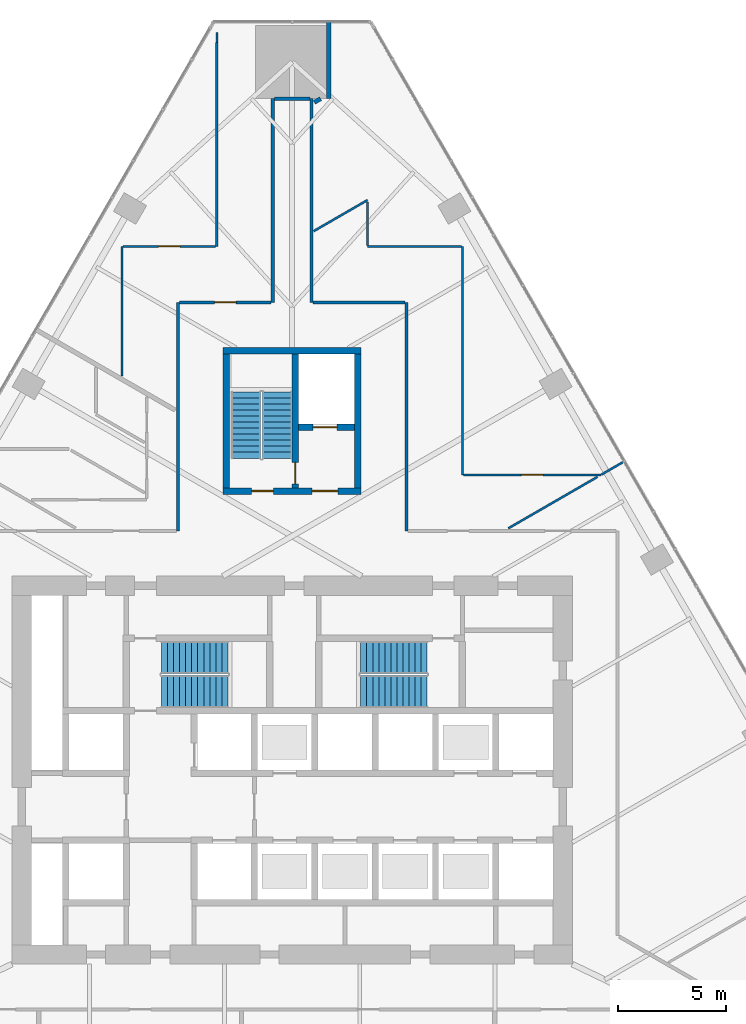
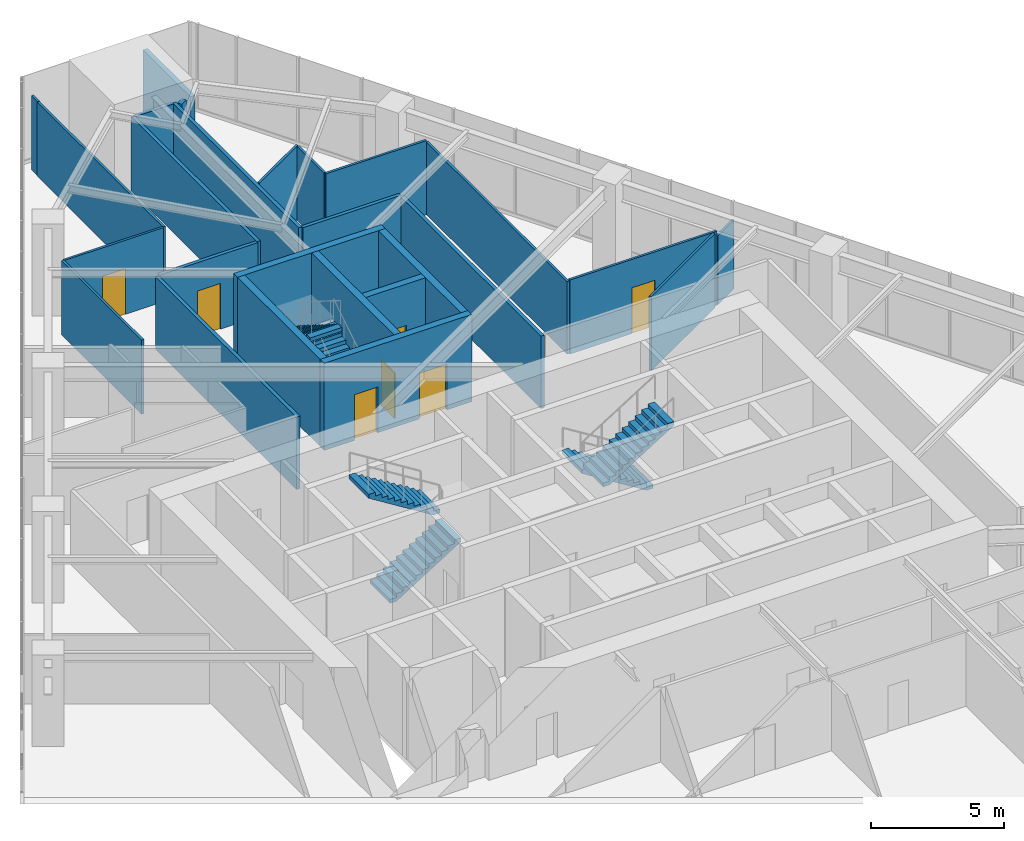
# One storey, part 19 of 21: 26 walls, 7 doors, 6 stair flights, 7 openings, 3 elements without a shape of their own.
"""IFC4 building model written with IfcOpenShell, lengths in metres."""

import ifcopenshell
import ifcopenshell.guid

model = None  # the IFC model being written
_history = None  # IfcOwnerHistory: only IFC2X3 demands one
_inside = {}  # id of a spatial element -> (the spatial element, [elements in it])
_under = {}  # id of a project, library or spatial element -> (it, [spatial elements below it])
_declared = {}  # id of a project -> (the project, [libraries it declares])
_typed = {}  # id of a type object -> (the type object, [elements of that type])
_made_of = {}  # id of a material, layer set ... -> (it, [elements and type objects made of it])


def new_model(schema):
    """Start an empty IFC model of exactly this schema.

    Asked for "IFC4X3", IfcOpenShell would pick the latest addendum, in which some entities
    have other attributes; the version numbers below select the first issue.
    IFC2X3 requires an IfcOwnerHistory on every rooted entity: one is made here for all.
    """
    global model, _history
    if schema == "IFC4X3":
        model = ifcopenshell.file(schema_version=(4, 3, 0, 0))
    else:
        model = ifcopenshell.file(schema=schema)
    _inside.clear()
    _under.clear()
    _declared.clear()
    _typed.clear()
    _made_of.clear()
    _history = None
    if model.schema == "IFC2X3":
        org = make("IfcOrganization", Name="unknown")
        user = make(
            "IfcPersonAndOrganization",
            ThePerson=make("IfcPerson", FamilyName="unknown"),
            TheOrganization=org,
        )
        app = make(
            "IfcApplication",
            ApplicationDeveloper=org,
            Version="unknown",
            ApplicationFullName="unknown",
            ApplicationIdentifier="unknown",
        )
        _history = make(
            "IfcOwnerHistory",
            OwningUser=user,
            OwningApplication=app,
            ChangeAction="ADDED",
            CreationDate=0,
        )
    return model


def make(cls, **values):
    """One entity of the class cls with the attributes given. An attribute that is None is left unset."""
    return model.create_entity(
        cls, **{name: value for name, value in values.items() if value is not None}
    )


def rooted(cls, **values):
    """An entity with a GlobalId (a new one), such as an element, a storey or a relation."""
    return make(cls, GlobalId=ifcopenshell.guid.new(), OwnerHistory=_history, **values)


def si_unit(unit_type, name, prefix=None):
    """IfcSIUnit, for example si_unit("LENGTHUNIT", "METRE", prefix="MILLI")."""
    return make("IfcSIUnit", UnitType=unit_type, Prefix=prefix, Name=name)


def assignment(units):
    """IfcUnitAssignment: the units of a project."""
    return None if units is None else make("IfcUnitAssignment", Units=units)


def point(xyz):
    """IfcCartesianPoint."""
    return None if xyz is None else make("IfcCartesianPoint", Coordinates=xyz)


def direction(xyz):
    """IfcDirection."""
    return None if xyz is None else make("IfcDirection", DirectionRatios=xyz)


def frame(location, z_axis=None, x_axis=None):
    """IfcAxis2Placement3D, a coordinate frame: its origin and axes. An axis left out is left unset."""
    return make(
        "IfcAxis2Placement3D",
        Location=point(location),
        Axis=direction(z_axis),
        RefDirection=direction(x_axis),
    )


def frame_2d(location, x_axis=None):
    """IfcAxis2Placement2D, a coordinate frame in the plane: its origin and x axis."""
    return make(
        "IfcAxis2Placement2D", Location=point(location), RefDirection=direction(x_axis)
    )


def origin():
    """The frame at (0, 0, 0) with its axes left unset."""
    return frame((0.0, 0.0, 0.0))


def place(relative_to, where):
    """IfcLocalPlacement: puts the frame where relative to a parent placement (None: the world)."""
    return make(
        "IfcLocalPlacement", PlacementRelTo=relative_to, RelativePlacement=where
    )


def context(
    kind, dimensions, precision=None, world=None, true_north=None, identifier=None
):
    """IfcGeometricRepresentationContext, for example the 3D "Model" context."""
    return make(
        "IfcGeometricRepresentationContext",
        ContextIdentifier=identifier,
        ContextType=kind,
        CoordinateSpaceDimension=dimensions,
        Precision=precision,
        WorldCoordinateSystem=world,
        TrueNorth=true_north,
    )


def subcontext(parent, identifier, kind, view, scale=None):
    """IfcGeometricRepresentationSubContext, for example "Body" below "Model"."""
    return make(
        "IfcGeometricRepresentationSubContext",
        ContextIdentifier=identifier,
        ContextType=kind,
        ParentContext=parent,
        TargetScale=scale,
        TargetView=view,
    )


def project(units=None, contexts=None):
    """IfcProject with its units and contexts."""
    return rooted(
        "IfcProject",
        Name="project",
        RepresentationContexts=contexts,
        UnitsInContext=assignment(units),
    )


def spatial(cls, under=None, at=None, **own):
    """A site, building, storey or space (cls), placed at a placement, below another one or the project."""
    s = rooted(cls, ObjectPlacement=at, **own)
    if under is not None:
        _under.setdefault(under.id(), (under, []))[1].append(s)
    return s


def polyline(points):
    """IfcPolyline through the points."""
    return make("IfcPolyline", Points=[point(p) for p in points])


def profile(cls, at=None, kind="AREA", **sizes):
    """A parametric profile (cls). Its sizes go by their IFC names, for example OverallWidth=200.0."""
    return make(cls, ProfileType=kind, Position=at, **sizes)


def rectangle(**sizes):
    """IfcRectangleProfileDef."""
    return profile("IfcRectangleProfileDef", **sizes)


def outline(outer, holes=None, kind="AREA"):
    """IfcArbitraryClosedProfileDef: a profile drawn as a closed curve; with holes, ...WithVoids."""
    if holes is None:
        return make("IfcArbitraryClosedProfileDef", ProfileType=kind, OuterCurve=outer)
    return make(
        "IfcArbitraryProfileDefWithVoids",
        ProfileType=kind,
        OuterCurve=outer,
        InnerCurves=holes,
    )


def extrude(swept, where, along, depth):
    """IfcExtrudedAreaSolid: the profile swept, set in the frame where, extruded along a direction by depth."""
    return make(
        "IfcExtrudedAreaSolid",
        SweptArea=swept,
        Position=where,
        ExtrudedDirection=direction(along),
        Depth=depth,
    )


def shape(context_of_items, identifier, shape_type, items):
    """IfcShapeRepresentation: the items that make up one representation, for example the "Body"."""
    return make(
        "IfcShapeRepresentation",
        ContextOfItems=context_of_items,
        RepresentationIdentifier=identifier,
        RepresentationType=shape_type,
        Items=items,
    )


def material(Name=None, Category=None):
    """IfcMaterial."""
    return make("IfcMaterial", Name=Name, Category=Category)


def layer(
    of_material, thickness, ventilated=None, Name=None, Category=None, Priority=None
):
    """IfcMaterialLayer: one layer of a wall or slab, of a material (None: an air gap)."""
    return make(
        "IfcMaterialLayer",
        Material=of_material,
        LayerThickness=thickness,
        IsVentilated=ventilated,
        Name=Name,
        Category=Category,
        Priority=Priority,
    )


def layer_set(layers, Name=None):
    """IfcMaterialLayerSet."""
    return make("IfcMaterialLayerSet", MaterialLayers=layers, LayerSetName=Name)


def made_of(thing, what):
    """Note that an element or type object is made of a material, layer set ...; save() writes the relation."""
    if what is not None:
        _made_of.setdefault(what.id(), (what, []))[1].append(thing)
    return thing


def type_object(cls, material=None, **own):
    """A type object (cls), such as IfcWallType, which elements share."""
    return made_of(rooted(cls, **own), material)


def element(
    cls,
    number,
    at=None,
    inside=None,
    cuts=None,
    type_object=None,
    material=None,
    context=None,
    identifier="Body",
    shape_type=None,
    held_by="IfcProductDefinitionShape",
    body=None,
    shapes=None,
    **own,
):
    """One element of the class cls, such as IfcWall. Its Tag is "e" and its number.

    at: its placement. inside: the storey or other place that contains it. cuts: it is an
    opening in that element (IfcRelVoidsElement). A single representation is given by context,
    identifier, shape_type and body (its items); several are given by shapes. held_by: the class
    of the entity that holds the representations. save() writes the other relations.
    """
    e = rooted(cls, Tag="e%d" % number, ObjectPlacement=at, **own)
    if body is not None:
        shapes = [shape(context, identifier, shape_type, body)]
    if shapes is not None:
        e.Representation = make(held_by, Representations=shapes)
    if inside is not None:
        _inside.setdefault(inside.id(), (inside, []))[1].append(e)
    if cuts is not None:
        rooted(
            "IfcRelVoidsElement", RelatingBuildingElement=cuts, RelatedOpeningElement=e
        )
    if type_object is not None:
        _typed.setdefault(type_object.id(), (type_object, []))[1].append(e)
    return made_of(e, material)


def fill(opening, filler):
    """IfcRelFillsElement: the door or window that sits in an opening."""
    return rooted(
        "IfcRelFillsElement",
        RelatingOpeningElement=opening,
        RelatedBuildingElement=filler,
    )


def aggregate(whole, parts):
    """IfcRelAggregates: a whole, such as a stair, and the parts it consists of."""
    return rooted("IfcRelAggregates", RelatingObject=whole, RelatedObjects=parts)


def save(model, path):
    """Write the relations noted so far, then the file.

    IfcRelAggregates (storeys below a building ...), IfcRelContainedInSpatialStructure (elements
    in a storey), IfcRelDefinesByType, IfcRelAssociatesMaterial and IfcRelDeclares: one each for
    every whole, place, type object, material and project.
    """
    for whole, parts in _under.values():
        aggregate(whole, parts)
    for where, things in _inside.values():
        rooted(
            "IfcRelContainedInSpatialStructure",
            RelatedElements=things,
            RelatingStructure=where,
        )
    for kind, things in _typed.values():
        rooted("IfcRelDefinesByType", RelatedObjects=things, RelatingType=kind)
    for what, things in _made_of.values():
        rooted("IfcRelAssociatesMaterial", RelatedObjects=things, RelatingMaterial=what)
    for by, libraries in _declared.values():
        rooted("IfcRelDeclares", RelatingContext=by, RelatedDefinitions=libraries)
    model.write(path)


model = new_model("IFC4")

# Units and contexts
model_context = context("Model", 3, precision=1e-05, world=origin(), true_north=direction((0.0, 1.0)))
body_context = subcontext(model_context, "Body", "Model", "MODEL_VIEW")
ifc_project = project(units=[si_unit("LENGTHUNIT", "METRE"), si_unit("AREAUNIT", "SQUARE_METRE"), si_unit("VOLUMEUNIT", "CUBIC_METRE"), si_unit("PLANEANGLEUNIT", "RADIAN"), si_unit("MASSUNIT", "GRAM", prefix="KILO")], contexts=[model_context])

# Site, building, storey
site_placement = place(None, origin())
site = spatial("IfcSite", under=ifc_project, at=site_placement, CompositionType="ELEMENT")
building_placement = place(site_placement, origin())
building = spatial("IfcBuilding", under=site, at=building_placement, Name="Firuza Gate Tower and Library", CompositionType="ELEMENT")
storey_placement = place(building_placement, frame((0.0, 0.0, 94.60009765625)))
storey = spatial("IfcBuildingStorey", under=building, at=storey_placement, Name="L21", CompositionType="ELEMENT", Elevation=94.60009765625)

# Wall, openings, doors
ifc_material_1 = material(Name="Concrete C80/95", Category="concrete")
ifc_layer_1 = layer(ifc_material_1, 0.300048828125)
ifc_layer_set_1 = layer_set([ifc_layer_1], Name="Core wall 300 C80/95")
wall_type_1 = type_object("IfcWallType", Name="Core wall 300 C80/95", PredefinedType="SHEAR", material=ifc_layer_set_1)
wall_1_placement = place(storey_placement, frame((71.800048828125, 87.949951171875, 0.0), z_axis=(0.0, 0.0, 1.0), x_axis=(1.0, 0.0, 0.0)))
wall_1 = element("IfcWall", 1, at=wall_1_placement, inside=storey, type_object=wall_type_1, Name="Core wall L21 34", PredefinedType="SHEAR", context=body_context, shape_type="SweptSolid", body=[
    extrude(rectangle(XDim=6.39990234375, YDim=0.300048828125, at=frame_2d((3.199951171875, 0.0))), origin(), (0.0, 0.0, 1.0), 4.0),
])
opening_1_placement = place(wall_1_placement, frame((1.324951171875, 0.0, 0.0)))
opening_1 = element("IfcOpeningElement", 2, at=opening_1_placement, cuts=wall_1, Name="Opening L21-K17", PredefinedType="OPENING", context=body_context, shape_type="SweptSolid", body=[
    extrude(rectangle(XDim=1.0, YDim=2.10009765625, at=frame_2d((0.5, 1.050048828125))), frame((0.0, 0.16015625, 0.0), z_axis=(0.0, -1.0, 0.0), x_axis=(1.0, 0.0, 0.0)), (0.0, 0.0, 1.0), 0.320068359375),
])
opening_2_placement = place(wall_1_placement, frame((4.125, 0.0, 0.0)))
opening_2 = element("IfcOpeningElement", 3, at=opening_2_placement, cuts=wall_1, Name="Opening L21-K19", PredefinedType="OPENING", context=body_context, shape_type="SweptSolid", body=[
    extrude(rectangle(XDim=1.199951171875, YDim=2.10009765625, at=frame_2d((0.60009765625, 1.050048828125))), frame((0.0, 0.16015625, 0.0), z_axis=(0.0, -1.0, 0.0), x_axis=(1.0, 0.0, 0.0)), (0.0, 0.0, 1.0), 0.320068359375),
])
ifc_material_2 = material(Name="Steel", Category="steel")
door_type_1 = type_object("IfcDoorType", Name="Fire door 1000x2100 FD90", OperationType="NOTDEFINED", PredefinedType="DOOR", material=ifc_material_2)
door_1_placement = place(opening_1_placement, origin())
door_1 = element("IfcDoor", 4, at=door_1_placement, inside=storey, type_object=door_type_1, Name="Door L21-K17", OperationType="SINGLE_SWING_RIGHT", OverallHeight=2.10009765625, OverallWidth=1.0, PredefinedType="DOOR", context=body_context, shape_type="SweptSolid", body=[
    extrude(rectangle(XDim=1.0, YDim=2.10009765625, at=frame_2d((0.5, 1.050048828125))), frame((0.0, 0.02490234375, 0.0), z_axis=(0.0, -1.0, 0.0), x_axis=(1.0, 0.0, 0.0)), (0.0, 0.0, 1.0), 0.050048828125),
])
fill(opening_1, door_1)
ifc_material_3 = material(Name="Steel", Category="steel")
door_type_2 = type_object("IfcDoorType", Name="Fire door 1200x2100 FD30S", OperationType="NOTDEFINED", PredefinedType="DOOR", material=ifc_material_3)
door_2_placement = place(opening_2_placement, origin())
door_2 = element("IfcDoor", 5, at=door_2_placement, inside=storey, type_object=door_type_2, Name="Door L21-K19", OperationType="SINGLE_SWING_RIGHT", OverallHeight=2.10009765625, OverallWidth=1.199951171875, PredefinedType="DOOR", context=body_context, shape_type="SweptSolid", body=[
    extrude(rectangle(XDim=1.199951171875, YDim=2.10009765625, at=frame_2d((0.60009765625, 1.050048828125))), frame((0.0, 0.02490234375, 0.0), z_axis=(0.0, -1.0, 0.0), x_axis=(1.0, 0.0, 0.0)), (0.0, 0.0, 1.0), 0.050048828125),
])
fill(opening_2, door_2)

# Walls
wall_2_placement = place(storey_placement, frame((71.800048828125, 94.449951171875, 0.0), z_axis=(0.0, 0.0, 1.0), x_axis=(1.0, 0.0, 0.0)))
element("IfcWall", 6, at=wall_2_placement, inside=storey, type_object=wall_type_1, Name="Core wall L21 35", PredefinedType="SHEAR", context=body_context, shape_type="SweptSolid", body=[
    extrude(rectangle(XDim=6.39990234375, YDim=0.300048828125, at=frame_2d((3.199951171875, 0.0))), origin(), (0.0, 0.0, 1.0), 4.0),
])
for number, where, z_axis, x_axis, name in (
    (7, (71.949951171875, 88.10009765625, 0.0), (0.0, 0.0, 1.0), (0.0, 1.0, 0.0), "Core wall L21 36"),
    (8, (78.050048828125, 88.10009765625, 0.0), (0.0, 0.0, 1.0), (0.0, 1.0, 0.0), "Core wall L21 37"),
):
    element("IfcWall", number, at=place(storey_placement, frame(where, z_axis=z_axis, x_axis=x_axis)), inside=storey, type_object=wall_type_1, Name=name, PredefinedType="SHEAR", context=body_context, shape_type="SweptSolid", body=[
        extrude(rectangle(XDim=6.199951171875, YDim=0.300048828125, at=frame_2d((3.10009765625, 0.0))), origin(), (0.0, 0.0, 1.0), 4.0),
    ])

# Wall, opening, door
wall_3_placement = place(storey_placement, frame((75.300048828125, 90.89990234375, 0.0), z_axis=(0.0, 0.0, 1.0), x_axis=(1.0, 0.0, 0.0)))
wall_3 = element("IfcWall", 9, at=wall_3_placement, inside=storey, type_object=wall_type_1, Name="Core wall L21 38", PredefinedType="SHEAR", context=body_context, shape_type="SweptSolid", body=[
    extrude(rectangle(XDim=2.599853515625, YDim=0.300048828125, at=frame_2d((1.2998046875, 0.0))), origin(), (0.0, 0.0, 1.0), 4.0),
])
opening_3_placement = place(wall_3_placement, frame((0.675048828125, 0.0, 0.0)))
opening_3 = element("IfcOpeningElement", 10, at=opening_3_placement, cuts=wall_3, Name="Opening LD-SV1-L21", PredefinedType="OPENING", context=body_context, shape_type="SweptSolid", body=[
    extrude(rectangle(XDim=1.10009765625, YDim=2.10009765625, at=frame_2d((0.550048828125, 1.050048828125))), frame((0.0, 0.16015625, 0.0), z_axis=(0.0, -1.0, 0.0), x_axis=(1.0, 0.0, 0.0)), (0.0, 0.0, 1.0), 0.320068359375),
])
ifc_material_4 = material(Name="Stainless steel", Category="steel")
door_type_3 = type_object("IfcDoorType", Name="Lift landing door 1100x2100", OperationType="DOUBLE_DOOR_SLIDING", PredefinedType="DOOR", material=ifc_material_4)
door_3_placement = place(opening_3_placement, origin())
door_3 = element("IfcDoor", 11, at=door_3_placement, inside=storey, type_object=door_type_3, Name="Landing door SV1 L21", OperationType="DOUBLE_DOOR_SLIDING", OverallHeight=2.10009765625, OverallWidth=1.10009765625, PredefinedType="DOOR", context=body_context, shape_type="SweptSolid", body=[
    extrude(rectangle(XDim=1.10009765625, YDim=2.10009765625, at=frame_2d((0.550048828125, 1.050048828125))), frame((0.0, 0.02490234375, 0.0), z_axis=(0.0, -1.0, 0.0), x_axis=(1.0, 0.0, 0.0)), (0.0, 0.0, 1.0), 0.050048828125),
])
fill(opening_3, door_3)

wall_4_placement = place(storey_placement, frame((75.14990234375, 88.10009765625, 0.0), z_axis=(0.0, 0.0, 1.0), x_axis=(0.0, 1.0, 0.0)))
wall_4 = element("IfcWall", 12, at=wall_4_placement, inside=storey, type_object=wall_type_1, Name="Core wall L21 39", PredefinedType="SHEAR", context=body_context, shape_type="SweptSolid", body=[
    extrude(rectangle(XDim=6.199951171875, YDim=0.300048828125, at=frame_2d((3.10009765625, 0.0))), origin(), (0.0, 0.0, 1.0), 4.0),
])
opening_4_placement = place(wall_4_placement, frame((0.18505859375, 0.0, 0.0)))
opening_4 = element("IfcOpeningElement", 13, at=opening_4_placement, cuts=wall_4, Name="Opening L21-K18", PredefinedType="OPENING", context=body_context, shape_type="SweptSolid", body=[
    extrude(rectangle(XDim=1.0, YDim=2.10009765625, at=frame_2d((0.5, 1.050048828125))), frame((0.0, 0.16015625, 0.0), z_axis=(0.0, -1.0, 0.0), x_axis=(1.0, 0.0, 0.0)), (0.0, 0.0, 1.0), 0.320068359375),
])
door_4_placement = place(opening_4_placement, origin())
door_4 = element("IfcDoor", 14, at=door_4_placement, inside=storey, type_object=door_type_1, Name="Door L21-K18", OperationType="SINGLE_SWING_LEFT", OverallHeight=2.10009765625, OverallWidth=1.0, PredefinedType="DOOR", context=body_context, shape_type="SweptSolid", body=[
    extrude(rectangle(XDim=1.0, YDim=2.10009765625, at=frame_2d((0.5, 1.050048828125))), frame((0.0, 0.02490234375, 0.0), z_axis=(0.0, -1.0, 0.0), x_axis=(1.0, 0.0, 0.0)), (0.0, 0.0, 1.0), 0.050048828125),
])
fill(opening_4, door_4)

ifc_material_5 = material(Name="Gypsum board partition")
ifc_layer_2 = layer(ifc_material_5, 0.14990234375)
ifc_layer_set_2 = layer_set([ifc_layer_2], Name="Corridor wall 150 double board on steel studs")
wall_type_2 = type_object("IfcWallType", Name="Corridor wall 150 double board on steel studs", PredefinedType="PARTITIONING", material=ifc_layer_set_2)
wall_5_placement = place(storey_placement, frame((69.775390625, 96.699951171875, 0.0), z_axis=(0.0, 0.0, 1.0), x_axis=(1.0, 0.0, 0.0)))
wall_5 = element("IfcWall", 15, at=wall_5_placement, inside=storey, type_object=wall_type_2, Name="f:L21:w010", PredefinedType="PARTITIONING", context=body_context, shape_type="SweptSolid", body=[
    extrude(rectangle(XDim=4.24951171875, YDim=0.14990234375, at=frame_2d((2.124755859375, 0.0))), origin(), (0.0, 0.0, 1.0), 3.39990234375),
])
opening_5_placement = place(wall_5_placement, frame((1.624755859375, 0.0, 0.0)))
opening_5 = element("IfcOpeningElement", 16, at=opening_5_placement, cuts=wall_5, Name="Opening L21-18", PredefinedType="OPENING", context=body_context, shape_type="SweptSolid", body=[
    extrude(rectangle(XDim=1.0, YDim=2.10009765625, at=frame_2d((0.5, 1.050048828125))), frame((0.0, 0.0849609375, 0.0), z_axis=(0.0, -1.0, 0.0), x_axis=(1.0, 0.0, 0.0)), (0.0, 0.0, 1.0), 0.169921875),
])
ifc_material_6 = material(Name="Steel door and timber leaf", Category="steel")
door_type_4 = type_object("IfcDoorType", Name="Fire door 1000 x 2100 steel frame, timber leaf", OperationType="NOTDEFINED", PredefinedType="DOOR", material=ifc_material_6)
door_5_placement = place(opening_5_placement, origin())
door_5 = element("IfcDoor", 17, at=door_5_placement, inside=storey, type_object=door_type_4, Name="f:L21:d018", OperationType="SINGLE_SWING_RIGHT", OverallHeight=2.10009765625, OverallWidth=1.0, PredefinedType="DOOR", context=body_context, shape_type="SweptSolid", body=[
    extrude(rectangle(XDim=1.0, YDim=2.10009765625, at=frame_2d((0.5, 1.050048828125))), frame((0.0, 0.02490234375, 0.0), z_axis=(0.0, -1.0, 0.0), x_axis=(1.0, 0.0, 0.0)), (0.0, 0.0, 1.0), 0.050048828125),
])
fill(opening_5, door_5)

# Walls
wall_6_placement = place(storey_placement, frame((75.97509765625, 96.699951171875, 0.0), z_axis=(0.0, 0.0, 1.0), x_axis=(1.0, 0.0, 0.0)))
element("IfcWall", 18, at=wall_6_placement, inside=storey, type_object=wall_type_2, Name="f:L21:w011", PredefinedType="PARTITIONING", context=body_context, shape_type="SweptSolid", body=[
    extrude(rectangle(XDim=4.25, YDim=0.14990234375, at=frame_2d((2.125, 0.0))), origin(), (0.0, 0.0, 1.0), 3.39990234375),
])
wall_7_placement = place(storey_placement, frame((74.175537109375, 106.153076171875, 0.0), z_axis=(0.0, 0.0, 1.0), x_axis=(1.0, 0.0, 0.0)))
element("IfcWall", 19, at=wall_7_placement, inside=storey, type_object=wall_type_2, Name="f:L21:w014", PredefinedType="PARTITIONING", context=body_context, shape_type="SweptSolid", body=[
    extrude(rectangle(XDim=1.64892578125, YDim=0.14990234375, at=frame_2d((0.824462890625, 0.0))), origin(), (0.0, 0.0, 1.0), 3.39697265625),
])
wall_8_placement = place(storey_placement, frame((80.300048828125, 86.10009765625, 0.0), z_axis=(0.0, 0.0, 1.0), x_axis=(0.0, 1.0, 0.0)))
element("IfcWall", 20, at=wall_8_placement, inside=storey, type_object=wall_type_2, Name="f:L21:w033", PredefinedType="PARTITIONING", context=body_context, shape_type="SweptSolid", body=[
    extrude(rectangle(XDim=10.599853515625, YDim=0.14990234375, at=frame_2d((5.2998046875, 0.0))), origin(), (0.0, 0.0, 1.0), 3.322021484375),
])
for number, where, z_axis, x_axis, name in (
    (21, (75.89990234375, 96.699951171875, 0.0), (0.0, 0.0, 1.0), (0.0, 1.0, 0.0), "f:L21:w037"),
    (22, (74.10009765625, 96.699951171875, 0.0), (0.0, 0.0, 1.0), (0.0, 1.0, 0.0), "f:L21:w038"),
):
    element("IfcWall", number, at=place(storey_placement, frame(where, z_axis=z_axis, x_axis=x_axis)), inside=storey, type_object=wall_type_2, Name=name, PredefinedType="PARTITIONING", context=body_context, shape_type="SweptSolid", body=[
        extrude(rectangle(XDim=9.4521484375, YDim=0.14990234375, at=frame_2d((4.72607421875, 0.0))), origin(), (0.0, 0.0, 1.0), 3.39990234375),
    ])
wall_9_placement = place(storey_placement, frame((69.699951171875, 86.10009765625, 0.0), z_axis=(0.0, 0.0, 1.0), x_axis=(0.0, 1.0, 0.0)))
element("IfcWall", 23, at=wall_9_placement, inside=storey, type_object=wall_type_2, Name="f:L21:w042", PredefinedType="PARTITIONING", context=body_context, shape_type="SweptSolid", body=[
    extrude(rectangle(XDim=10.599365234375, YDim=0.14990234375, at=frame_2d((5.2998046875, 0.0))), origin(), (0.0, 0.0, 1.0), 3.322021484375),
])
ifc_material_7 = material(Name="Gypsum board partition")
ifc_layer_3 = layer(ifc_material_7, 0.199951171875)
ifc_layer_set_3 = layer_set([ifc_layer_3], Name="Demising wall 200 acoustic double stud")
wall_type_3 = type_object("IfcWallType", Name="Demising wall 200 acoustic double stud", PredefinedType="PARTITIONING", material=ifc_layer_set_3)
wall_10_placement = place(storey_placement, frame((76.02783203125, 105.984130859375, 0.0), z_axis=(0.0, 0.0, 1.0), x_axis=(0.866137275136, 0.499806183056, 0.0)))
element("IfcWall", 24, at=wall_10_placement, inside=storey, type_object=wall_type_3, Name="f:L21:w023", PredefinedType="PARTITIONING", context=body_context, shape_type="SweptSolid", body=[
    extrude(rectangle(XDim=0.336669921875, YDim=0.199951171875, at=frame_2d((0.16845703125, 0.0))), origin(), (0.0, 0.0, 1.0), 3.39990234375),
])
wall_11_placement = place(storey_placement, frame((76.699951171875, 106.1533203125, 0.0), z_axis=(0.0, 0.0, 1.0), x_axis=(0.0, 1.0, 0.0)))
element("IfcWall", 25, at=wall_11_placement, inside=storey, type_object=wall_type_3, Name="f:L21:w036", PredefinedType="PARTITIONING", context=body_context, shape_type="SweptSolid", body=[
    extrude(rectangle(XDim=3.559326171875, YDim=0.199951171875, at=frame_2d((1.77978515625, 0.0))), origin(), (0.0, 0.0, 1.0), 3.39990234375),
])

# Wall, opening, door
ifc_material_8 = material(Name="Gypsum board partition")
ifc_layer_4 = layer(ifc_material_8, 0.10009765625)
ifc_layer_set_4 = layer_set([ifc_layer_4], Name="Partition 100 gypsum board on steel studs")
wall_type_4 = type_object("IfcWallType", Name="Partition 100 gypsum board on steel studs", PredefinedType="PARTITIONING", material=ifc_layer_set_4)
wall_12_placement = place(storey_placement, frame((82.949951171875, 88.699951171875, 0.0), z_axis=(0.0, 0.0, 1.0), x_axis=(1.0, 0.0, 0.0)))
wall_12 = element("IfcWall", 26, at=wall_12_placement, inside=storey, type_object=wall_type_4, Name="f:L21:w008", PredefinedType="PARTITIONING", context=body_context, shape_type="SweptSolid", body=[
    extrude(rectangle(XDim=6.375732421875, YDim=0.10009765625, at=frame_2d((3.18798828125, 0.0))), origin(), (0.0, 0.0, 1.0), 3.39990234375),
])
opening_6_placement = place(wall_12_placement, frame((2.687744140625, 0.0, 0.0)))
opening_6 = element("IfcOpeningElement", 27, at=opening_6_placement, cuts=wall_12, Name="Opening L21-17", PredefinedType="OPENING", context=body_context, shape_type="SweptSolid", body=[
    extrude(rectangle(XDim=1.0, YDim=2.10009765625, at=frame_2d((0.5, 1.050048828125))), frame((0.0, 0.06005859375, 0.0), z_axis=(0.0, -1.0, 0.0), x_axis=(1.0, 0.0, 0.0)), (0.0, 0.0, 1.0), 0.1201171875),
])
ifc_material_9 = material(Name="Timber door", Category="wood")
door_type_5 = type_object("IfcDoorType", Name="Door 1000 x 2100 timber leaf", OperationType="NOTDEFINED", PredefinedType="DOOR", material=ifc_material_9)
door_6_placement = place(opening_6_placement, origin())
door_6 = element("IfcDoor", 28, at=door_6_placement, inside=storey, type_object=door_type_5, Name="f:L21:d017", OperationType="SINGLE_SWING_LEFT", OverallHeight=2.10009765625, OverallWidth=1.0, PredefinedType="DOOR", context=body_context, shape_type="SweptSolid", body=[
    extrude(rectangle(XDim=1.0, YDim=2.10009765625, at=frame_2d((0.5, 1.050048828125))), frame((0.0, 0.02490234375, 0.0), z_axis=(0.0, -1.0, 0.0), x_axis=(1.0, 0.0, 0.0)), (0.0, 0.0, 1.0), 0.050048828125),
])
fill(opening_6, door_6)

wall_13_placement = place(storey_placement, frame((67.14990234375, 99.300048828125, 0.0), z_axis=(0.0, 0.0, 1.0), x_axis=(1.0, 0.0, 0.0)))
wall_13 = element("IfcWall", 29, at=wall_13_placement, inside=storey, type_object=wall_type_4, Name="f:L21:w012", PredefinedType="PARTITIONING", context=body_context, shape_type="SweptSolid", body=[
    extrude(rectangle(XDim=4.299560546875, YDim=0.10009765625, at=frame_2d((2.14990234375, 0.0))), origin(), (0.0, 0.0, 1.0), 3.39990234375),
])
opening_7_placement = place(wall_13_placement, frame((1.649658203125, 0.0, 0.0)))
opening_7 = element("IfcOpeningElement", 30, at=opening_7_placement, cuts=wall_13, Name="Opening L21-19", PredefinedType="OPENING", context=body_context, shape_type="SweptSolid", body=[
    extrude(rectangle(XDim=1.0, YDim=2.10009765625, at=frame_2d((0.5, 1.050048828125))), frame((0.0, 0.06005859375, 0.0), z_axis=(0.0, -1.0, 0.0), x_axis=(1.0, 0.0, 0.0)), (0.0, 0.0, 1.0), 0.1201171875),
])
door_7_placement = place(opening_7_placement, origin())
door_7 = element("IfcDoor", 31, at=door_7_placement, inside=storey, type_object=door_type_5, Name="f:L21:d019", OperationType="SINGLE_SWING_LEFT", OverallHeight=2.10009765625, OverallWidth=1.0, PredefinedType="DOOR", context=body_context, shape_type="SweptSolid", body=[
    extrude(rectangle(XDim=1.0, YDim=2.10009765625, at=frame_2d((0.5, 1.050048828125))), frame((0.0, 0.02490234375, 0.0), z_axis=(0.0, -1.0, 0.0), x_axis=(1.0, 0.0, 0.0)), (0.0, 0.0, 1.0), 0.050048828125),
])
fill(opening_7, door_7)

# Walls
wall_14_placement = place(storey_placement, frame((78.5, 99.300048828125, 0.0), z_axis=(0.0, 0.0, 1.0), x_axis=(1.0, 0.0, 0.0)))
element("IfcWall", 32, at=wall_14_placement, inside=storey, type_object=wall_type_4, Name="f:L21:w013", PredefinedType="PARTITIONING", context=body_context, shape_type="SweptSolid", body=[
    extrude(rectangle(XDim=4.35009765625, YDim=0.10009765625, at=frame_2d((2.175048828125, 0.0))), origin(), (0.0, 0.0, 1.0), 3.39990234375),
])
wall_15_placement = place(storey_placement, frame((85.030029296875, 86.22021484375, 0.0), z_axis=(0.0, 0.0, 1.0), x_axis=(0.86602800421, 0.499995495904, 0.0)))
element("IfcWall", 33, at=wall_15_placement, inside=storey, type_object=wall_type_4, Name="f:L21:w021", PredefinedType="PARTITIONING", context=body_context, shape_type="SweptSolid", body=[
    extrude(rectangle(XDim=4.77294921875, YDim=0.10009765625, at=frame_2d((2.386474609375, 0.0))), origin(), (0.0, 0.0, 1.0), 3.39990234375),
])
wall_16_placement = place(storey_placement, frame((76.001220703125, 100.008056640625, 0.0), z_axis=(0.0, 0.0, 1.0), x_axis=(0.866016514357, 0.500015396624, 0.0)))
element("IfcWall", 34, at=wall_16_placement, inside=storey, type_object=wall_type_4, Name="f:L21:w022", PredefinedType="PARTITIONING", context=body_context, shape_type="SweptSolid", body=[
    extrude(rectangle(XDim=2.8857421875, YDim=0.10009765625, at=frame_2d((1.44287109375, 0.0))), origin(), (0.0, 0.0, 1.0), 3.39990234375),
])
wall_17_placement = place(storey_placement, frame((82.89990234375, 88.699951171875, 0.0), z_axis=(0.0, 0.0, 1.0), x_axis=(0.0, 1.0, 0.0)))
element("IfcWall", 35, at=wall_17_placement, inside=storey, type_object=wall_type_4, Name="f:L21:w032", PredefinedType="PARTITIONING", context=body_context, shape_type="SweptSolid", body=[
    extrude(rectangle(XDim=10.60009765625, YDim=0.10009765625, at=frame_2d((5.300048828125, 0.0))), origin(), (0.0, 0.0, 1.0), 3.322021484375),
])
wall_18_placement = place(storey_placement, frame((78.5, 99.35009765625, 0.0), z_axis=(0.0, 0.0, 1.0), x_axis=(0.0, 1.0, 0.0)))
element("IfcWall", 36, at=wall_18_placement, inside=storey, type_object=wall_type_4, Name="f:L21:w035", PredefinedType="PARTITIONING", context=body_context, shape_type="SweptSolid", body=[
    extrude(rectangle(XDim=2.013671875, YDim=0.10009765625, at=frame_2d((1.0068359375, 0.0))), origin(), (0.0, 0.0, 1.0), 3.39990234375),
])
wall_19_placement = place(storey_placement, frame((71.51904296875, 108.753173828125, 0.0), z_axis=(0.0, 0.0, 1.0), x_axis=(0.0, 1.0, 0.0)))
element("IfcWall", 37, at=wall_19_placement, inside=storey, type_object=wall_type_4, Name="f:L21:w040", PredefinedType="PARTITIONING", context=body_context, shape_type="SweptSolid", body=[
    extrude(rectangle(XDim=0.47265625, YDim=0.10009765625, at=frame_2d((0.236328125, 0.0))), origin(), (0.0, 0.0, 1.0), 3.39990234375),
])
wall_20_placement = place(storey_placement, frame((71.5, 99.300537109375, 0.0), z_axis=(0.0, 0.0, 1.0), x_axis=(0.0, 1.0, 0.0)))
element("IfcWall", 38, at=wall_20_placement, inside=storey, type_object=wall_type_4, Name="f:L21:w041", PredefinedType="PARTITIONING", context=body_context, shape_type="SweptSolid", body=[
    extrude(rectangle(XDim=9.4521484375, YDim=0.10009765625, at=frame_2d((4.72607421875, 0.0))), origin(), (0.0, 0.0, 1.0), 3.39990234375),
])
wall_21_placement = place(storey_placement, frame((67.10009765625, 93.279052734375, 0.0), z_axis=(0.0, 0.0, 1.0), x_axis=(0.0, 1.0, 0.0)))
element("IfcWall", 39, at=wall_21_placement, inside=storey, type_object=wall_type_4, Name="f:L21:w044", PredefinedType="PARTITIONING", context=body_context, shape_type="SweptSolid", body=[
    extrude(rectangle(XDim=6.02099609375, YDim=0.10009765625, at=frame_2d((3.010498046875, 0.0))), origin(), (0.0, 0.0, 1.0), 3.39990234375),
])
wall_22_placement = place(storey_placement, frame((89.34716796875, 88.712890625, 0.0), z_axis=(0.0, 0.0, 1.0), x_axis=(0.866109108303, 0.499854991488, 0.0)))
element("IfcWall", 40, at=wall_22_placement, inside=storey, type_object=wall_type_4, Name="f:L21:w060", PredefinedType="PARTITIONING", context=body_context, shape_type="SweptSolid", body=[
    extrude(rectangle(XDim=1.222412109375, YDim=0.10009765625, at=frame_2d((0.611328125, 0.0))), origin(), (0.0, 0.0, 1.0), 3.164794921875),
])

# Stair, stair flights
ifc_material_10 = material(Name="Concrete C35/45", Category="concrete")
stair_type_1 = type_object("IfcStairType", Name="Exit stair ST14", PredefinedType="HALF_TURN_STAIR", material=ifc_material_10)
placement = place(storey_placement, origin())
stair_1 = element("IfcStair", 41, at=placement, inside=storey, type_object=stair_type_1, Name="L21 Stair ST3", PredefinedType="HALF_TURN_STAIR")
ifc_material_11 = material(Name="Concrete C35/45", Category="concrete")
stair_flight_type_1 = type_object("IfcStairFlightType", Name="Stair flight 12 risers 175 width 1370", PredefinedType="STRAIGHT", material=ifc_material_11)
stair_flight_1_placement = place(storey_placement, frame((74.31494140625, 89.469970703125, 0.0), z_axis=(0.0, 0.0, 1.0), x_axis=(0.0, 1.0, 0.0)))
stair_flight_1 = element("IfcStairFlight", 42, at=stair_flight_1_placement, type_object=stair_flight_type_1, Name="ST3 flight 1", NumberOfRisers=12, NumberOfTreads=11, PredefinedType="STRAIGHT", RiserHeight=0.175, TreadLength=0.28, context=body_context, shape_type="SweptSolid", body=[
    extrude(outline(polyline([(0.0, 0.0), (0.0, 0.175048828125), (0.280029296875, 0.175048828125), (0.280029296875, 0.35009765625), (0.56005859375, 0.35009765625), (0.56005859375, 0.52490234375), (0.840087890625, 0.52490234375), (0.840087890625, 0.699951171875), (1.1201171875, 0.699951171875), (1.1201171875, 0.875), (1.39990234375, 0.875), (1.39990234375, 1.050048828125), (1.679931640625, 1.050048828125), (1.679931640625, 1.22509765625), (1.9599609375, 1.22509765625), (1.9599609375, 1.39990234375), (2.239990234375, 1.39990234375), (2.239990234375, 1.574951171875), (2.52001953125, 1.574951171875), (2.52001953125, 1.75), (2.800048828125, 1.75), (2.800048828125, 1.925048828125), (3.080078125, 1.925048828125), (3.080078125, 2.10009765625), (3.080078125, 1.748291015625), (0.28271484375, 0.0), (0.0, 0.0)])), frame((0.0, 0.68505859375, 0.0), z_axis=(0.0, -1.0, 0.0), x_axis=(1.0, 0.0, 0.0)), (0.0, 0.0, 1.0), 1.3701171875),
])
stair_flight_2_placement = place(storey_placement, frame((72.844970703125, 92.550048828125, 2.099853515625), z_axis=(0.0, 0.0, 1.0), x_axis=(0.0, -1.0, 0.0)))
stair_flight_2 = element("IfcStairFlight", 43, at=stair_flight_2_placement, type_object=stair_flight_type_1, Name="ST3 flight 2", NumberOfRisers=12, NumberOfTreads=11, PredefinedType="STRAIGHT", RiserHeight=0.175, TreadLength=0.28, context=body_context, shape_type="SweptSolid", body=[
    extrude(outline(polyline([(0.0, 0.0), (0.0, 0.175048828125), (0.280029296875, 0.175048828125), (0.280029296875, 0.35009765625), (0.56005859375, 0.35009765625), (0.56005859375, 0.52490234375), (0.840087890625, 0.52490234375), (0.840087890625, 0.699951171875), (1.1201171875, 0.699951171875), (1.1201171875, 0.875), (1.39990234375, 0.875), (1.39990234375, 1.050048828125), (1.679931640625, 1.050048828125), (1.679931640625, 1.22509765625), (1.9599609375, 1.22509765625), (1.9599609375, 1.39990234375), (2.239990234375, 1.39990234375), (2.239990234375, 1.574951171875), (2.52001953125, 1.574951171875), (2.52001953125, 1.75), (2.800048828125, 1.75), (2.800048828125, 1.925048828125), (3.080078125, 1.925048828125), (3.080078125, 2.10009765625), (3.080078125, 1.748291015625), (0.28271484375, 0.0), (0.0, 0.0)])), frame((0.0, 0.68505859375, 0.0), z_axis=(0.0, -1.0, 0.0), x_axis=(1.0, 0.0, 0.0)), (0.0, 0.0, 1.0), 1.3701171875),
])
aggregate(stair_1, [stair_flight_1, stair_flight_2])

ifc_material_12 = material(Name="Concrete C35/45", Category="concrete")
stair_type_2 = type_object("IfcStairType", Name="Exit stair ST5", PredefinedType="HALF_TURN_STAIR", material=ifc_material_12)
stair_2 = element("IfcStair", 44, at=placement, inside=storey, type_object=stair_type_2, Name="L21 Stair ST1", PredefinedType="HALF_TURN_STAIR")
ifc_material_13 = material(Name="Concrete C35/45", Category="concrete")
stair_flight_type_2 = type_object("IfcStairFlightType", Name="Stair flight 12 risers 175 width 1490", PredefinedType="STRAIGHT", material=ifc_material_13)
stair_flight_3_placement = place(storey_placement, frame((68.93994140625, 78.64501953125, 0.0), z_axis=(0.0, 0.0, 1.0), x_axis=(1.0, 0.0, 0.0)))
stair_flight_3 = element("IfcStairFlight", 45, at=stair_flight_3_placement, type_object=stair_flight_type_2, Name="ST1 flight 1", NumberOfRisers=12, NumberOfTreads=11, PredefinedType="STRAIGHT", RiserHeight=0.175, TreadLength=0.28, context=body_context, shape_type="SweptSolid", body=[
    extrude(outline(polyline([(0.0, 0.0), (0.0, 0.175048828125), (0.280029296875, 0.175048828125), (0.280029296875, 0.35009765625), (0.56005859375, 0.35009765625), (0.56005859375, 0.52490234375), (0.840087890625, 0.52490234375), (0.840087890625, 0.699951171875), (1.1201171875, 0.699951171875), (1.1201171875, 0.875), (1.39990234375, 0.875), (1.39990234375, 1.050048828125), (1.679931640625, 1.050048828125), (1.679931640625, 1.22509765625), (1.9599609375, 1.22509765625), (1.9599609375, 1.39990234375), (2.239990234375, 1.39990234375), (2.239990234375, 1.574951171875), (2.52001953125, 1.574951171875), (2.52001953125, 1.75), (2.800048828125, 1.75), (2.800048828125, 1.925048828125), (3.080078125, 1.925048828125), (3.080078125, 2.10009765625), (3.080078125, 1.748291015625), (0.28271484375, 0.0), (0.0, 0.0)])), frame((0.0, 0.7451171875, 0.0), z_axis=(0.0, -1.0, 0.0), x_axis=(1.0, 0.0, 0.0)), (0.0, 0.0, 1.0), 1.489990234375),
])
stair_flight_4_placement = place(storey_placement, frame((72.02001953125, 80.235107421875, 2.099853515625), z_axis=(0.0, 0.0, 1.0), x_axis=(-1.0, 0.0, 0.0)))
stair_flight_4 = element("IfcStairFlight", 46, at=stair_flight_4_placement, type_object=stair_flight_type_2, Name="ST1 flight 2", NumberOfRisers=12, NumberOfTreads=11, PredefinedType="STRAIGHT", RiserHeight=0.175, TreadLength=0.28, context=body_context, shape_type="SweptSolid", body=[
    extrude(outline(polyline([(0.0, 0.0), (0.0, 0.175048828125), (0.280029296875, 0.175048828125), (0.280029296875, 0.35009765625), (0.56005859375, 0.35009765625), (0.56005859375, 0.52490234375), (0.840087890625, 0.52490234375), (0.840087890625, 0.699951171875), (1.1201171875, 0.699951171875), (1.1201171875, 0.875), (1.39990234375, 0.875), (1.39990234375, 1.050048828125), (1.679931640625, 1.050048828125), (1.679931640625, 1.22509765625), (1.9599609375, 1.22509765625), (1.9599609375, 1.39990234375), (2.239990234375, 1.39990234375), (2.239990234375, 1.574951171875), (2.52001953125, 1.574951171875), (2.52001953125, 1.75), (2.800048828125, 1.75), (2.800048828125, 1.925048828125), (3.080078125, 1.925048828125), (3.080078125, 2.10009765625), (3.080078125, 1.748291015625), (0.28271484375, 0.0), (0.0, 0.0)])), frame((0.0, 0.7451171875, 0.0), z_axis=(0.0, -1.0, 0.0), x_axis=(1.0, 0.0, 0.0)), (0.0, 0.0, 1.0), 1.489990234375),
])
aggregate(stair_2, [stair_flight_3, stair_flight_4])

stair_3 = element("IfcStair", 47, at=placement, inside=storey, type_object=stair_type_2, Name="L21 Stair ST2", PredefinedType="HALF_TURN_STAIR")
stair_flight_5_placement = place(storey_placement, frame((81.260009765625, 80.235107421875, 0.0), z_axis=(0.0, 0.0, 1.0), x_axis=(-1.0, 0.0, 0.0)))
stair_flight_5 = element("IfcStairFlight", 48, at=stair_flight_5_placement, type_object=stair_flight_type_2, Name="ST2 flight 1", NumberOfRisers=12, NumberOfTreads=11, PredefinedType="STRAIGHT", RiserHeight=0.175, TreadLength=0.28, context=body_context, shape_type="SweptSolid", body=[
    extrude(outline(polyline([(0.0, 0.0), (0.0, 0.175048828125), (0.280029296875, 0.175048828125), (0.280029296875, 0.35009765625), (0.56005859375, 0.35009765625), (0.56005859375, 0.52490234375), (0.840087890625, 0.52490234375), (0.840087890625, 0.699951171875), (1.1201171875, 0.699951171875), (1.1201171875, 0.875), (1.39990234375, 0.875), (1.39990234375, 1.050048828125), (1.679931640625, 1.050048828125), (1.679931640625, 1.22509765625), (1.9599609375, 1.22509765625), (1.9599609375, 1.39990234375), (2.239990234375, 1.39990234375), (2.239990234375, 1.574951171875), (2.52001953125, 1.574951171875), (2.52001953125, 1.75), (2.800048828125, 1.75), (2.800048828125, 1.925048828125), (3.080078125, 1.925048828125), (3.080078125, 2.10009765625), (3.080078125, 1.748291015625), (0.28271484375, 0.0), (0.0, 0.0)])), frame((0.0, 0.7451171875, 0.0), z_axis=(0.0, -1.0, 0.0), x_axis=(1.0, 0.0, 0.0)), (0.0, 0.0, 1.0), 1.489990234375),
])
stair_flight_6_placement = place(storey_placement, frame((78.179931640625, 78.64501953125, 2.099853515625), z_axis=(0.0, 0.0, 1.0), x_axis=(1.0, 0.0, 0.0)))
stair_flight_6 = element("IfcStairFlight", 49, at=stair_flight_6_placement, type_object=stair_flight_type_2, Name="ST2 flight 2", NumberOfRisers=12, NumberOfTreads=11, PredefinedType="STRAIGHT", RiserHeight=0.175, TreadLength=0.28, context=body_context, shape_type="SweptSolid", body=[
    extrude(outline(polyline([(0.0, 0.0), (0.0, 0.175048828125), (0.280029296875, 0.175048828125), (0.280029296875, 0.35009765625), (0.56005859375, 0.35009765625), (0.56005859375, 0.52490234375), (0.840087890625, 0.52490234375), (0.840087890625, 0.699951171875), (1.1201171875, 0.699951171875), (1.1201171875, 0.875), (1.39990234375, 0.875), (1.39990234375, 1.050048828125), (1.679931640625, 1.050048828125), (1.679931640625, 1.22509765625), (1.9599609375, 1.22509765625), (1.9599609375, 1.39990234375), (2.239990234375, 1.39990234375), (2.239990234375, 1.574951171875), (2.52001953125, 1.574951171875), (2.52001953125, 1.75), (2.800048828125, 1.75), (2.800048828125, 1.925048828125), (3.080078125, 1.925048828125), (3.080078125, 2.10009765625), (3.080078125, 1.748291015625), (0.28271484375, 0.0), (0.0, 0.0)])), frame((0.0, 0.7451171875, 0.0), z_axis=(0.0, -1.0, 0.0), x_axis=(1.0, 0.0, 0.0)), (0.0, 0.0, 1.0), 1.489990234375),
])
aggregate(stair_3, [stair_flight_5, stair_flight_6])

save(model, "model.ifc")
